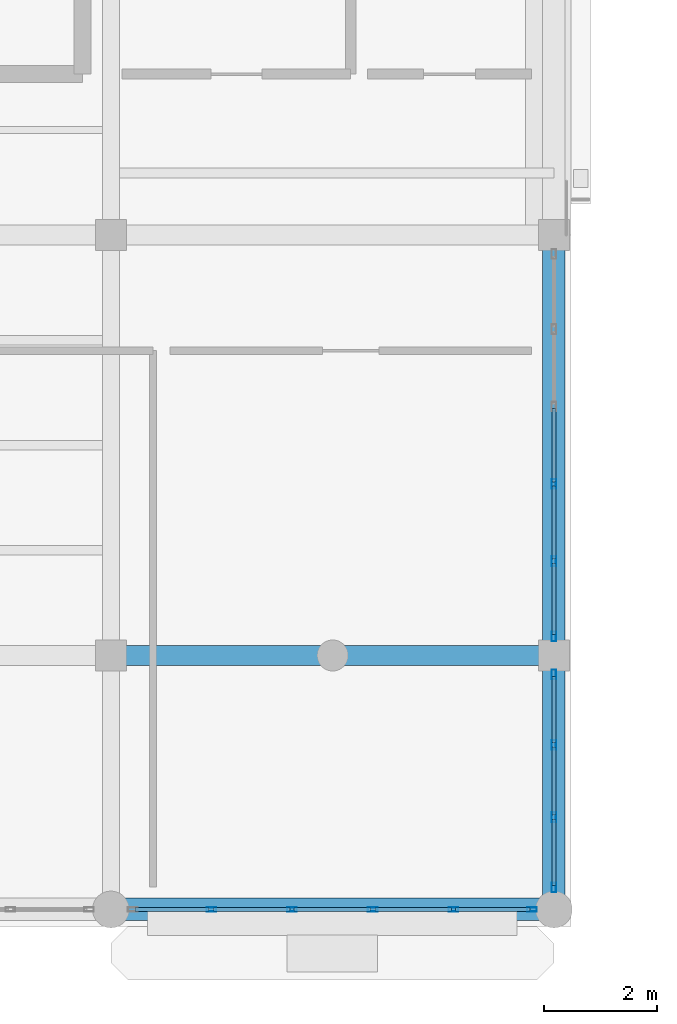
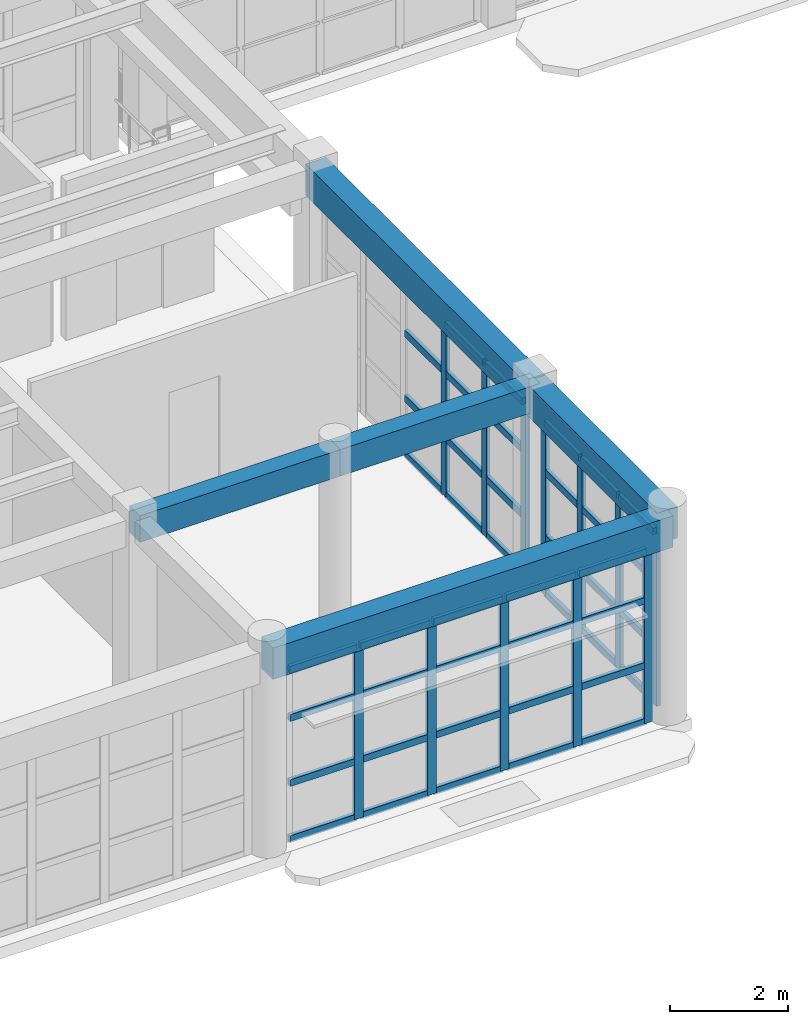
# One storey, part 14 of 85: 55 members, 5 beams, 3 elements without a shape of their own.
"""IFC4 building model written with IfcOpenShell, lengths in metres."""

from ifc_helpers import new_model, si_unit, direction, frame, origin, origin_2d, place, context, subcontext, project, spatial, rectangle, hollow_rectangle, extrude, material, layer, layer_set, material_profile, profile_set, type_object, element, aggregate, save


model = new_model("IFC4")

# Units and contexts
model_context = context("Model", 3, precision=1e-05, world=origin(), true_north=direction((0.0, 1.0)))
body_context = subcontext(model_context, "Body", "Model", "MODEL_VIEW")
ifc_project = project(units=[si_unit("LENGTHUNIT", "METRE"), si_unit("AREAUNIT", "SQUARE_METRE"), si_unit("VOLUMEUNIT", "CUBIC_METRE"), si_unit("PLANEANGLEUNIT", "RADIAN"), si_unit("MASSUNIT", "GRAM", prefix="KILO")], contexts=[model_context])

# Site, building, storey
site_placement = place(None, origin())
site = spatial("IfcSite", under=ifc_project, at=site_placement, CompositionType="ELEMENT")
building_placement = place(site_placement, origin())
building = spatial("IfcBuilding", under=site, at=building_placement, Name="Candilejo Ridge Gondola Terminal", CompositionType="ELEMENT")
storey_placement = place(building_placement, frame((0.0, 0.0, 4.5)))
storey = spatial("IfcBuildingStorey", under=building, at=storey_placement, Name="L01", CompositionType="ELEMENT", Elevation=4.5)

# Curtain wall, members
ifc_material_1 = material(Name="Anodised aluminium AA 6063-T6", Category="aluminium")
ifc_layer_1 = layer(ifc_material_1, 0.169921875)
ifc_layer_set_1 = layer_set([ifc_layer_1], Name="ARC-CW-CONCOURSE-3600-715X359")
curtain_wall_type_1 = type_object("IfcCurtainWallType", Name="ARC-CW-CONCOURSE-3600-715X359", PredefinedType="NOTDEFINED", material=ifc_layer_set_1)
curtain_wall_1_placement = place(storey_placement, origin())
curtain_wall_1 = element("IfcCurtainWall", 1, at=curtain_wall_1_placement, inside=storey, type_object=curtain_wall_type_1, Name="Curtain wall V1 L01-017", PredefinedType="NOTDEFINED")
ifc_material_2 = material(Name="Anodised aluminium AA 6063-T6", Category="aluminium")
ifc_material_profile_1 = material_profile(ifc_material_2, hollow_rectangle(XDim=0.074951171875, YDim=0.169921875, WallThickness=0.00390625, at=origin_2d()))
ifc_profile_set_1 = profile_set([ifc_material_profile_1], Name="Anodised aluminium AA 6063-T6")
member_type_1 = type_object("IfcMemberType", Name="ARC-CW-MULLION", PredefinedType="MULLION", material=ifc_profile_set_1)
member_1_placement = place(storey_placement, frame((37.6298828125, 6.300048828125, 0.0), z_axis=(0.0, 0.0, 1.0), x_axis=(0.0, 1.0, 0.0)))
member_1 = element("IfcMember", 2, at=member_1_placement, type_object=member_type_1, Name="CW-71X35 mullion 2", PredefinedType="MULLION", context=body_context, shape_type="SweptSolid", body=[
    extrude(hollow_rectangle(XDim=0.074951171875, YDim=0.169921875, WallThickness=0.00390625, at=origin_2d()), origin(), (0.0, 0.0, 1.0), 3.590087890625),
])
member_2_placement = place(storey_placement, frame((39.06005859375, 6.300048828125, 0.0), z_axis=(0.0, 0.0, 1.0), x_axis=(0.0, 1.0, 0.0)))
member_2 = element("IfcMember", 3, at=member_2_placement, type_object=member_type_1, Name="CW-71X35 mullion 3", PredefinedType="MULLION", context=body_context, shape_type="SweptSolid", body=[
    extrude(hollow_rectangle(XDim=0.074951171875, YDim=0.169921875, WallThickness=0.00390625, at=origin_2d()), origin(), (0.0, 0.0, 1.0), 3.590087890625),
])
member_3_placement = place(storey_placement, frame((40.489990234375, 6.300048828125, 0.0), z_axis=(0.0, 0.0, 1.0), x_axis=(0.0, 1.0, 0.0)))
member_3 = element("IfcMember", 4, at=member_3_placement, type_object=member_type_1, Name="CW-71X35 mullion 4", PredefinedType="MULLION", context=body_context, shape_type="SweptSolid", body=[
    extrude(hollow_rectangle(XDim=0.074951171875, YDim=0.169921875, WallThickness=0.00390625, at=origin_2d()), origin(), (0.0, 0.0, 1.0), 3.590087890625),
])
member_4_placement = place(storey_placement, frame((41.919921875, 6.300048828125, 0.0), z_axis=(0.0, 0.0, 1.0), x_axis=(0.0, 1.0, 0.0)))
member_4 = element("IfcMember", 5, at=member_4_placement, type_object=member_type_1, Name="CW-71X35 mullion 5", PredefinedType="MULLION", context=body_context, shape_type="SweptSolid", body=[
    extrude(hollow_rectangle(XDim=0.074951171875, YDim=0.169921875, WallThickness=0.00390625, at=origin_2d()), origin(), (0.0, 0.0, 1.0), 3.590087890625),
])
member_5_placement = place(storey_placement, frame((43.3125, 6.300048828125, 0.0), z_axis=(0.0, 0.0, 1.0), x_axis=(0.0, 1.0, 0.0)))
member_5 = element("IfcMember", 6, at=member_5_placement, type_object=member_type_1, Name="CW-71X35 mullion 6", PredefinedType="MULLION", context=body_context, shape_type="SweptSolid", body=[
    extrude(hollow_rectangle(XDim=0.074951171875, YDim=0.169921875, WallThickness=0.00390625, at=origin_2d()), origin(), (0.0, 0.0, 1.0), 3.590087890625),
])

ifc_material_3 = material(Name="Anodised aluminium AA 6063-T6", Category="aluminium")
ifc_layer_2 = layer(ifc_material_3, 0.169921875)
ifc_layer_set_2 = layer_set([ifc_layer_2], Name="ARC-CW-CONCOURSE-3600-385X359")
curtain_wall_type_2 = type_object("IfcCurtainWallType", Name="ARC-CW-CONCOURSE-3600-385X359", PredefinedType="NOTDEFINED", material=ifc_layer_set_2)
curtain_wall_2_placement = place(storey_placement, origin())
curtain_wall_2 = element("IfcCurtainWall", 7, at=curtain_wall_2_placement, inside=storey, type_object=curtain_wall_type_2, Name="Curtain wall V1 L01-024", PredefinedType="NOTDEFINED")
member_6_placement = place(storey_placement, frame((43.699951171875, 6.6875, 0.0), z_axis=(0.0, 0.0, 1.0), x_axis=(-1.0, 0.0, 0.0)))
member_6 = element("IfcMember", 8, at=member_6_placement, type_object=member_type_1, Name="CW-38X35 mullion 1", PredefinedType="MULLION", context=body_context, shape_type="SweptSolid", body=[
    extrude(hollow_rectangle(XDim=0.074951171875, YDim=0.169921875, WallThickness=0.00390625, at=origin_2d()), origin(), (0.0, 0.0, 1.0), 3.590087890625),
])
member_7_placement = place(storey_placement, frame((43.699951171875, 7.933349609375, 0.0), z_axis=(0.0, 0.0, 1.0), x_axis=(-1.0, 0.0, 0.0)))
member_7 = element("IfcMember", 9, at=member_7_placement, type_object=member_type_1, Name="CW-38X35 mullion 2", PredefinedType="MULLION", context=body_context, shape_type="SweptSolid", body=[
    extrude(hollow_rectangle(XDim=0.074951171875, YDim=0.169921875, WallThickness=0.00390625, at=origin_2d()), origin(), (0.0, 0.0, 1.0), 3.590087890625),
])
member_8_placement = place(storey_placement, frame((43.699951171875, 9.216552734375, 0.0), z_axis=(0.0, 0.0, 1.0), x_axis=(-1.0, 0.0, 0.0)))
member_8 = element("IfcMember", 10, at=member_8_placement, type_object=member_type_1, Name="CW-38X35 mullion 3", PredefinedType="MULLION", context=body_context, shape_type="SweptSolid", body=[
    extrude(hollow_rectangle(XDim=0.074951171875, YDim=0.169921875, WallThickness=0.00390625, at=origin_2d()), origin(), (0.0, 0.0, 1.0), 3.590087890625),
])
member_9_placement = place(storey_placement, frame((43.699951171875, 10.46240234375, 0.0), z_axis=(0.0, 0.0, 1.0), x_axis=(-1.0, 0.0, 0.0)))
member_9 = element("IfcMember", 11, at=member_9_placement, type_object=member_type_1, Name="CW-38X35 mullion 4", PredefinedType="MULLION", context=body_context, shape_type="SweptSolid", body=[
    extrude(hollow_rectangle(XDim=0.074951171875, YDim=0.169921875, WallThickness=0.00390625, at=origin_2d()), origin(), (0.0, 0.0, 1.0), 3.590087890625),
])

ifc_material_4 = material(Name="Anodised aluminium AA 6063-T6", Category="aluminium")
ifc_layer_3 = layer(ifc_material_4, 0.169921875)
ifc_layer_set_3 = layer_set([ifc_layer_3], Name="ARC-CW-CONCOURSE-3600-685X359")
curtain_wall_type_3 = type_object("IfcCurtainWallType", Name="ARC-CW-CONCOURSE-3600-685X359", PredefinedType="NOTDEFINED", material=ifc_layer_set_3)
curtain_wall_3_placement = place(storey_placement, origin())
curtain_wall_3 = element("IfcCurtainWall", 12, at=curtain_wall_3_placement, inside=storey, type_object=curtain_wall_type_3, Name="Curtain wall V1 L01-025", PredefinedType="NOTDEFINED")
member_10_placement = place(storey_placement, frame((43.699951171875, 11.137451171875, 0.0), z_axis=(0.0, 0.0, 1.0), x_axis=(-1.0, 0.0, 0.0)))
member_10 = element("IfcMember", 13, at=member_10_placement, type_object=member_type_1, Name="CW-68X35 mullion 1", PredefinedType="MULLION", context=body_context, shape_type="SweptSolid", body=[
    extrude(hollow_rectangle(XDim=0.074951171875, YDim=0.169921875, WallThickness=0.00390625, at=origin_2d()), origin(), (0.0, 0.0, 1.0), 3.590087890625),
])
member_11_placement = place(storey_placement, frame((43.699951171875, 12.469970703125, 0.0), z_axis=(0.0, 0.0, 1.0), x_axis=(-1.0, 0.0, 0.0)))
member_11 = element("IfcMember", 14, at=member_11_placement, type_object=member_type_1, Name="CW-68X35 mullion 2", PredefinedType="MULLION", context=body_context, shape_type="SweptSolid", body=[
    extrude(hollow_rectangle(XDim=0.074951171875, YDim=0.169921875, WallThickness=0.00390625, at=origin_2d()), origin(), (0.0, 0.0, 1.0), 3.590087890625),
])
member_12_placement = place(storey_placement, frame((43.699951171875, 13.840087890625, 0.0), z_axis=(0.0, 0.0, 1.0), x_axis=(-1.0, 0.0, 0.0)))
member_12 = element("IfcMember", 15, at=member_12_placement, type_object=member_type_1, Name="CW-68X35 mullion 3", PredefinedType="MULLION", context=body_context, shape_type="SweptSolid", body=[
    extrude(hollow_rectangle(XDim=0.074951171875, YDim=0.169921875, WallThickness=0.00390625, at=origin_2d()), origin(), (0.0, 0.0, 1.0), 3.590087890625),
])

# Member
ifc_material_5 = material(Name="Anodised aluminium AA 6063-T6", Category="aluminium")
ifc_material_profile_2 = material_profile(ifc_material_5, hollow_rectangle(XDim=0.074951171875, YDim=0.139892578125, WallThickness=0.00390625, at=origin_2d()))
ifc_profile_set_2 = profile_set([ifc_material_profile_2], Name="Anodised aluminium AA 6063-T6")
member_type_2 = type_object("IfcMemberType", Name="ARC-CW-TRANSOM", PredefinedType="USERDEFINED", material=ifc_profile_set_2)
member_13_placement = place(storey_placement, frame((36.27490234375, 6.300048828125, 0.03759765625), z_axis=(1.0, 0.0, 0.0), x_axis=(0.0, 1.0, 0.0)))
member_13 = element("IfcMember", 16, at=member_13_placement, type_object=member_type_2, Name="CW-71X35 transom 1.1", ObjectType="TRANSOM", PredefinedType="USERDEFINED", context=body_context, shape_type="SweptSolid", body=[
    extrude(hollow_rectangle(XDim=0.074951171875, YDim=0.139892578125, WallThickness=0.00390625, at=origin_2d()), origin(), (0.0, 0.0, 1.0), 1.317626953125),
])

member_14_placement = place(storey_placement, frame((36.27490234375, 6.300048828125, 1.199951171875), z_axis=(1.0, 0.0, 0.0), x_axis=(0.0, 1.0, 0.0)))
member_14 = element("IfcMember", 17, at=member_14_placement, type_object=member_type_2, Name="CW-71X35 transom 1.2", ObjectType="TRANSOM", PredefinedType="USERDEFINED", context=body_context, shape_type="SweptSolid", body=[
    extrude(hollow_rectangle(XDim=0.074951171875, YDim=0.139892578125, WallThickness=0.00390625, at=origin_2d()), origin(), (0.0, 0.0, 1.0), 1.317626953125),
])

member_15_placement = place(storey_placement, frame((36.27490234375, 6.300048828125, 2.550048828125), z_axis=(1.0, 0.0, 0.0), x_axis=(0.0, 1.0, 0.0)))
member_15 = element("IfcMember", 18, at=member_15_placement, type_object=member_type_2, Name="CW-71X35 transom 1.3", ObjectType="TRANSOM", PredefinedType="USERDEFINED", context=body_context, shape_type="SweptSolid", body=[
    extrude(hollow_rectangle(XDim=0.074951171875, YDim=0.139892578125, WallThickness=0.00390625, at=origin_2d()), origin(), (0.0, 0.0, 1.0), 1.317626953125),
])

member_16_placement = place(storey_placement, frame((36.27490234375, 6.300048828125, 3.552490234375), z_axis=(1.0, 0.0, 0.0), x_axis=(0.0, 1.0, 0.0)))
member_16 = element("IfcMember", 19, at=member_16_placement, type_object=member_type_2, Name="CW-71X35 transom 1.4", ObjectType="TRANSOM", PredefinedType="USERDEFINED", context=body_context, shape_type="SweptSolid", body=[
    extrude(hollow_rectangle(XDim=0.074951171875, YDim=0.139892578125, WallThickness=0.00390625, at=origin_2d()), origin(), (0.0, 0.0, 1.0), 1.317626953125),
])

member_17_placement = place(storey_placement, frame((37.66748046875, 6.300048828125, 0.03759765625), z_axis=(1.0, 0.0, 0.0), x_axis=(0.0, 1.0, 0.0)))
member_17 = element("IfcMember", 20, at=member_17_placement, type_object=member_type_2, Name="CW-71X35 transom 2.1", ObjectType="TRANSOM", PredefinedType="USERDEFINED", context=body_context, shape_type="SweptSolid", body=[
    extrude(hollow_rectangle(XDim=0.074951171875, YDim=0.139892578125, WallThickness=0.00390625, at=origin_2d()), origin(), (0.0, 0.0, 1.0), 1.35498046875),
])

member_18_placement = place(storey_placement, frame((37.66748046875, 6.300048828125, 1.199951171875), z_axis=(1.0, 0.0, 0.0), x_axis=(0.0, 1.0, 0.0)))
member_18 = element("IfcMember", 21, at=member_18_placement, type_object=member_type_2, Name="CW-71X35 transom 2.2", ObjectType="TRANSOM", PredefinedType="USERDEFINED", context=body_context, shape_type="SweptSolid", body=[
    extrude(hollow_rectangle(XDim=0.074951171875, YDim=0.139892578125, WallThickness=0.00390625, at=origin_2d()), origin(), (0.0, 0.0, 1.0), 1.35498046875),
])

member_19_placement = place(storey_placement, frame((37.66748046875, 6.300048828125, 2.550048828125), z_axis=(1.0, 0.0, 0.0), x_axis=(0.0, 1.0, 0.0)))
member_19 = element("IfcMember", 22, at=member_19_placement, type_object=member_type_2, Name="CW-71X35 transom 2.3", ObjectType="TRANSOM", PredefinedType="USERDEFINED", context=body_context, shape_type="SweptSolid", body=[
    extrude(hollow_rectangle(XDim=0.074951171875, YDim=0.139892578125, WallThickness=0.00390625, at=origin_2d()), origin(), (0.0, 0.0, 1.0), 1.35498046875),
])

member_20_placement = place(storey_placement, frame((37.66748046875, 6.300048828125, 3.552490234375), z_axis=(1.0, 0.0, 0.0), x_axis=(0.0, 1.0, 0.0)))
member_20 = element("IfcMember", 23, at=member_20_placement, type_object=member_type_2, Name="CW-71X35 transom 2.4", ObjectType="TRANSOM", PredefinedType="USERDEFINED", context=body_context, shape_type="SweptSolid", body=[
    extrude(hollow_rectangle(XDim=0.074951171875, YDim=0.139892578125, WallThickness=0.00390625, at=origin_2d()), origin(), (0.0, 0.0, 1.0), 1.35498046875),
])

member_21_placement = place(storey_placement, frame((39.097412109375, 6.300048828125, 0.03759765625), z_axis=(1.0, 0.0, 0.0), x_axis=(0.0, 1.0, 0.0)))
member_21 = element("IfcMember", 24, at=member_21_placement, type_object=member_type_2, Name="CW-71X35 transom 3.1", ObjectType="TRANSOM", PredefinedType="USERDEFINED", context=body_context, shape_type="SweptSolid", body=[
    extrude(hollow_rectangle(XDim=0.074951171875, YDim=0.139892578125, WallThickness=0.00390625, at=origin_2d()), origin(), (0.0, 0.0, 1.0), 1.35498046875),
])

member_22_placement = place(storey_placement, frame((39.097412109375, 6.300048828125, 1.199951171875), z_axis=(1.0, 0.0, 0.0), x_axis=(0.0, 1.0, 0.0)))
member_22 = element("IfcMember", 25, at=member_22_placement, type_object=member_type_2, Name="CW-71X35 transom 3.2", ObjectType="TRANSOM", PredefinedType="USERDEFINED", context=body_context, shape_type="SweptSolid", body=[
    extrude(hollow_rectangle(XDim=0.074951171875, YDim=0.139892578125, WallThickness=0.00390625, at=origin_2d()), origin(), (0.0, 0.0, 1.0), 1.35498046875),
])

member_23_placement = place(storey_placement, frame((39.097412109375, 6.300048828125, 2.550048828125), z_axis=(1.0, 0.0, 0.0), x_axis=(0.0, 1.0, 0.0)))
member_23 = element("IfcMember", 26, at=member_23_placement, type_object=member_type_2, Name="CW-71X35 transom 3.3", ObjectType="TRANSOM", PredefinedType="USERDEFINED", context=body_context, shape_type="SweptSolid", body=[
    extrude(hollow_rectangle(XDim=0.074951171875, YDim=0.139892578125, WallThickness=0.00390625, at=origin_2d()), origin(), (0.0, 0.0, 1.0), 1.35498046875),
])

member_24_placement = place(storey_placement, frame((39.097412109375, 6.300048828125, 3.552490234375), z_axis=(1.0, 0.0, 0.0), x_axis=(0.0, 1.0, 0.0)))
member_24 = element("IfcMember", 27, at=member_24_placement, type_object=member_type_2, Name="CW-71X35 transom 3.4", ObjectType="TRANSOM", PredefinedType="USERDEFINED", context=body_context, shape_type="SweptSolid", body=[
    extrude(hollow_rectangle(XDim=0.074951171875, YDim=0.139892578125, WallThickness=0.00390625, at=origin_2d()), origin(), (0.0, 0.0, 1.0), 1.35498046875),
])

member_25_placement = place(storey_placement, frame((40.527587890625, 6.300048828125, 0.03759765625), z_axis=(1.0, 0.0, 0.0), x_axis=(0.0, 1.0, 0.0)))
member_25 = element("IfcMember", 28, at=member_25_placement, type_object=member_type_2, Name="CW-71X35 transom 4.1", ObjectType="TRANSOM", PredefinedType="USERDEFINED", context=body_context, shape_type="SweptSolid", body=[
    extrude(hollow_rectangle(XDim=0.074951171875, YDim=0.139892578125, WallThickness=0.00390625, at=origin_2d()), origin(), (0.0, 0.0, 1.0), 1.35498046875),
])

member_26_placement = place(storey_placement, frame((40.527587890625, 6.300048828125, 1.199951171875), z_axis=(1.0, 0.0, 0.0), x_axis=(0.0, 1.0, 0.0)))
member_26 = element("IfcMember", 29, at=member_26_placement, type_object=member_type_2, Name="CW-71X35 transom 4.2", ObjectType="TRANSOM", PredefinedType="USERDEFINED", context=body_context, shape_type="SweptSolid", body=[
    extrude(hollow_rectangle(XDim=0.074951171875, YDim=0.139892578125, WallThickness=0.00390625, at=origin_2d()), origin(), (0.0, 0.0, 1.0), 1.35498046875),
])

member_27_placement = place(storey_placement, frame((40.527587890625, 6.300048828125, 2.550048828125), z_axis=(1.0, 0.0, 0.0), x_axis=(0.0, 1.0, 0.0)))
member_27 = element("IfcMember", 30, at=member_27_placement, type_object=member_type_2, Name="CW-71X35 transom 4.3", ObjectType="TRANSOM", PredefinedType="USERDEFINED", context=body_context, shape_type="SweptSolid", body=[
    extrude(hollow_rectangle(XDim=0.074951171875, YDim=0.139892578125, WallThickness=0.00390625, at=origin_2d()), origin(), (0.0, 0.0, 1.0), 1.35498046875),
])

member_28_placement = place(storey_placement, frame((40.527587890625, 6.300048828125, 3.552490234375), z_axis=(1.0, 0.0, 0.0), x_axis=(0.0, 1.0, 0.0)))
member_28 = element("IfcMember", 31, at=member_28_placement, type_object=member_type_2, Name="CW-71X35 transom 4.4", ObjectType="TRANSOM", PredefinedType="USERDEFINED", context=body_context, shape_type="SweptSolid", body=[
    extrude(hollow_rectangle(XDim=0.074951171875, YDim=0.139892578125, WallThickness=0.00390625, at=origin_2d()), origin(), (0.0, 0.0, 1.0), 1.35498046875),
])

member_29_placement = place(storey_placement, frame((41.95751953125, 6.300048828125, 0.03759765625), z_axis=(1.0, 0.0, 0.0), x_axis=(0.0, 1.0, 0.0)))
member_29 = element("IfcMember", 32, at=member_29_placement, type_object=member_type_2, Name="CW-71X35 transom 5.1", ObjectType="TRANSOM", PredefinedType="USERDEFINED", context=body_context, shape_type="SweptSolid", body=[
    extrude(hollow_rectangle(XDim=0.074951171875, YDim=0.139892578125, WallThickness=0.00390625, at=origin_2d()), origin(), (0.0, 0.0, 1.0), 1.3173828125),
])

member_30_placement = place(storey_placement, frame((41.95751953125, 6.300048828125, 1.199951171875), z_axis=(1.0, 0.0, 0.0), x_axis=(0.0, 1.0, 0.0)))
member_30 = element("IfcMember", 33, at=member_30_placement, type_object=member_type_2, Name="CW-71X35 transom 5.2", ObjectType="TRANSOM", PredefinedType="USERDEFINED", context=body_context, shape_type="SweptSolid", body=[
    extrude(hollow_rectangle(XDim=0.074951171875, YDim=0.139892578125, WallThickness=0.00390625, at=origin_2d()), origin(), (0.0, 0.0, 1.0), 1.3173828125),
])

member_31_placement = place(storey_placement, frame((41.95751953125, 6.300048828125, 2.550048828125), z_axis=(1.0, 0.0, 0.0), x_axis=(0.0, 1.0, 0.0)))
member_31 = element("IfcMember", 34, at=member_31_placement, type_object=member_type_2, Name="CW-71X35 transom 5.3", ObjectType="TRANSOM", PredefinedType="USERDEFINED", context=body_context, shape_type="SweptSolid", body=[
    extrude(hollow_rectangle(XDim=0.074951171875, YDim=0.139892578125, WallThickness=0.00390625, at=origin_2d()), origin(), (0.0, 0.0, 1.0), 1.3173828125),
])

member_32_placement = place(storey_placement, frame((41.95751953125, 6.300048828125, 3.552490234375), z_axis=(1.0, 0.0, 0.0), x_axis=(0.0, 1.0, 0.0)))
member_32 = element("IfcMember", 35, at=member_32_placement, type_object=member_type_2, Name="CW-71X35 transom 5.4", ObjectType="TRANSOM", PredefinedType="USERDEFINED", context=body_context, shape_type="SweptSolid", body=[
    extrude(hollow_rectangle(XDim=0.074951171875, YDim=0.139892578125, WallThickness=0.00390625, at=origin_2d()), origin(), (0.0, 0.0, 1.0), 1.3173828125),
])

aggregate(curtain_wall_1, [member_1, member_2, member_3, member_4, member_5, member_13, member_14, member_15, member_16, member_17, member_18, member_19, member_20, member_21, member_22, member_23, member_24, member_25, member_26, member_27, member_28, member_29, member_30, member_31, member_32])

member_33_placement = place(storey_placement, frame((43.699951171875, 6.72509765625, 0.03759765625), z_axis=(0.0, 1.0, 0.0), x_axis=(-1.0, 0.0, 0.0)))
member_33 = element("IfcMember", 36, at=member_33_placement, type_object=member_type_2, Name="CW-38X35 transom 1.1", ObjectType="TRANSOM", PredefinedType="USERDEFINED", context=body_context, shape_type="SweptSolid", body=[
    extrude(hollow_rectangle(XDim=0.074951171875, YDim=0.139892578125, WallThickness=0.00390625, at=origin_2d()), origin(), (0.0, 0.0, 1.0), 1.170654296875),
])

member_34_placement = place(storey_placement, frame((43.699951171875, 6.72509765625, 1.199951171875), z_axis=(0.0, 1.0, 0.0), x_axis=(-1.0, 0.0, 0.0)))
member_34 = element("IfcMember", 37, at=member_34_placement, type_object=member_type_2, Name="CW-38X35 transom 1.2", ObjectType="TRANSOM", PredefinedType="USERDEFINED", context=body_context, shape_type="SweptSolid", body=[
    extrude(hollow_rectangle(XDim=0.074951171875, YDim=0.139892578125, WallThickness=0.00390625, at=origin_2d()), origin(), (0.0, 0.0, 1.0), 1.170654296875),
])

member_35_placement = place(storey_placement, frame((43.699951171875, 6.72509765625, 2.550048828125), z_axis=(0.0, 1.0, 0.0), x_axis=(-1.0, 0.0, 0.0)))
member_35 = element("IfcMember", 38, at=member_35_placement, type_object=member_type_2, Name="CW-38X35 transom 1.3", ObjectType="TRANSOM", PredefinedType="USERDEFINED", context=body_context, shape_type="SweptSolid", body=[
    extrude(hollow_rectangle(XDim=0.074951171875, YDim=0.139892578125, WallThickness=0.00390625, at=origin_2d()), origin(), (0.0, 0.0, 1.0), 1.170654296875),
])

member_36_placement = place(storey_placement, frame((43.699951171875, 6.72509765625, 3.552490234375), z_axis=(0.0, 1.0, 0.0), x_axis=(-1.0, 0.0, 0.0)))
member_36 = element("IfcMember", 39, at=member_36_placement, type_object=member_type_2, Name="CW-38X35 transom 1.4", ObjectType="TRANSOM", PredefinedType="USERDEFINED", context=body_context, shape_type="SweptSolid", body=[
    extrude(hollow_rectangle(XDim=0.074951171875, YDim=0.139892578125, WallThickness=0.00390625, at=origin_2d()), origin(), (0.0, 0.0, 1.0), 1.170654296875),
])

member_37_placement = place(storey_placement, frame((43.699951171875, 7.970947265625, 0.03759765625), z_axis=(0.0, 1.0, 0.0), x_axis=(-1.0, 0.0, 0.0)))
member_37 = element("IfcMember", 40, at=member_37_placement, type_object=member_type_2, Name="CW-38X35 transom 2.1", ObjectType="TRANSOM", PredefinedType="USERDEFINED", context=body_context, shape_type="SweptSolid", body=[
    extrude(hollow_rectangle(XDim=0.074951171875, YDim=0.139892578125, WallThickness=0.00390625, at=origin_2d()), origin(), (0.0, 0.0, 1.0), 1.208251953125),
])

member_38_placement = place(storey_placement, frame((43.699951171875, 7.970947265625, 1.199951171875), z_axis=(0.0, 1.0, 0.0), x_axis=(-1.0, 0.0, 0.0)))
member_38 = element("IfcMember", 41, at=member_38_placement, type_object=member_type_2, Name="CW-38X35 transom 2.2", ObjectType="TRANSOM", PredefinedType="USERDEFINED", context=body_context, shape_type="SweptSolid", body=[
    extrude(hollow_rectangle(XDim=0.074951171875, YDim=0.139892578125, WallThickness=0.00390625, at=origin_2d()), origin(), (0.0, 0.0, 1.0), 1.208251953125),
])

member_39_placement = place(storey_placement, frame((43.699951171875, 7.970947265625, 2.550048828125), z_axis=(0.0, 1.0, 0.0), x_axis=(-1.0, 0.0, 0.0)))
member_39 = element("IfcMember", 42, at=member_39_placement, type_object=member_type_2, Name="CW-38X35 transom 2.3", ObjectType="TRANSOM", PredefinedType="USERDEFINED", context=body_context, shape_type="SweptSolid", body=[
    extrude(hollow_rectangle(XDim=0.074951171875, YDim=0.139892578125, WallThickness=0.00390625, at=origin_2d()), origin(), (0.0, 0.0, 1.0), 1.208251953125),
])

member_40_placement = place(storey_placement, frame((43.699951171875, 7.970947265625, 3.552490234375), z_axis=(0.0, 1.0, 0.0), x_axis=(-1.0, 0.0, 0.0)))
member_40 = element("IfcMember", 43, at=member_40_placement, type_object=member_type_2, Name="CW-38X35 transom 2.4", ObjectType="TRANSOM", PredefinedType="USERDEFINED", context=body_context, shape_type="SweptSolid", body=[
    extrude(hollow_rectangle(XDim=0.074951171875, YDim=0.139892578125, WallThickness=0.00390625, at=origin_2d()), origin(), (0.0, 0.0, 1.0), 1.208251953125),
])

member_41_placement = place(storey_placement, frame((43.699951171875, 9.254150390625, 0.03759765625), z_axis=(0.0, 1.0, 0.0), x_axis=(-1.0, 0.0, 0.0)))
member_41 = element("IfcMember", 44, at=member_41_placement, type_object=member_type_2, Name="CW-38X35 transom 3.1", ObjectType="TRANSOM", PredefinedType="USERDEFINED", context=body_context, shape_type="SweptSolid", body=[
    extrude(hollow_rectangle(XDim=0.074951171875, YDim=0.139892578125, WallThickness=0.00390625, at=origin_2d()), origin(), (0.0, 0.0, 1.0), 1.1708984375),
])

member_42_placement = place(storey_placement, frame((43.699951171875, 9.254150390625, 1.199951171875), z_axis=(0.0, 1.0, 0.0), x_axis=(-1.0, 0.0, 0.0)))
member_42 = element("IfcMember", 45, at=member_42_placement, type_object=member_type_2, Name="CW-38X35 transom 3.2", ObjectType="TRANSOM", PredefinedType="USERDEFINED", context=body_context, shape_type="SweptSolid", body=[
    extrude(hollow_rectangle(XDim=0.074951171875, YDim=0.139892578125, WallThickness=0.00390625, at=origin_2d()), origin(), (0.0, 0.0, 1.0), 1.1708984375),
])

member_43_placement = place(storey_placement, frame((43.699951171875, 9.254150390625, 2.550048828125), z_axis=(0.0, 1.0, 0.0), x_axis=(-1.0, 0.0, 0.0)))
member_43 = element("IfcMember", 46, at=member_43_placement, type_object=member_type_2, Name="CW-38X35 transom 3.3", ObjectType="TRANSOM", PredefinedType="USERDEFINED", context=body_context, shape_type="SweptSolid", body=[
    extrude(hollow_rectangle(XDim=0.074951171875, YDim=0.139892578125, WallThickness=0.00390625, at=origin_2d()), origin(), (0.0, 0.0, 1.0), 1.1708984375),
])

member_44_placement = place(storey_placement, frame((43.699951171875, 9.254150390625, 3.552490234375), z_axis=(0.0, 1.0, 0.0), x_axis=(-1.0, 0.0, 0.0)))
member_44 = element("IfcMember", 47, at=member_44_placement, type_object=member_type_2, Name="CW-38X35 transom 3.4", ObjectType="TRANSOM", PredefinedType="USERDEFINED", context=body_context, shape_type="SweptSolid", body=[
    extrude(hollow_rectangle(XDim=0.074951171875, YDim=0.139892578125, WallThickness=0.00390625, at=origin_2d()), origin(), (0.0, 0.0, 1.0), 1.1708984375),
])

aggregate(curtain_wall_2, [member_6, member_7, member_8, member_9, member_33, member_34, member_35, member_36, member_37, member_38, member_39, member_40, member_41, member_42, member_43, member_44])

member_45_placement = place(storey_placement, frame((43.699951171875, 11.175048828125, 0.03759765625), z_axis=(0.0, 1.0, 0.0), x_axis=(-1.0, 0.0, 0.0)))
member_45 = element("IfcMember", 48, at=member_45_placement, type_object=member_type_2, Name="CW-68X35 transom 1.1", ObjectType="TRANSOM", PredefinedType="USERDEFINED", context=body_context, shape_type="SweptSolid", body=[
    extrude(hollow_rectangle(XDim=0.074951171875, YDim=0.139892578125, WallThickness=0.00390625, at=origin_2d()), origin(), (0.0, 0.0, 1.0), 1.257568359375),
])

member_46_placement = place(storey_placement, frame((43.699951171875, 11.175048828125, 1.199951171875), z_axis=(0.0, 1.0, 0.0), x_axis=(-1.0, 0.0, 0.0)))
member_46 = element("IfcMember", 49, at=member_46_placement, type_object=member_type_2, Name="CW-68X35 transom 1.2", ObjectType="TRANSOM", PredefinedType="USERDEFINED", context=body_context, shape_type="SweptSolid", body=[
    extrude(hollow_rectangle(XDim=0.074951171875, YDim=0.139892578125, WallThickness=0.00390625, at=origin_2d()), origin(), (0.0, 0.0, 1.0), 1.257568359375),
])

member_47_placement = place(storey_placement, frame((43.699951171875, 11.175048828125, 2.550048828125), z_axis=(0.0, 1.0, 0.0), x_axis=(-1.0, 0.0, 0.0)))
member_47 = element("IfcMember", 50, at=member_47_placement, type_object=member_type_2, Name="CW-68X35 transom 1.3", ObjectType="TRANSOM", PredefinedType="USERDEFINED", context=body_context, shape_type="SweptSolid", body=[
    extrude(hollow_rectangle(XDim=0.074951171875, YDim=0.139892578125, WallThickness=0.00390625, at=origin_2d()), origin(), (0.0, 0.0, 1.0), 1.257568359375),
])

member_48_placement = place(storey_placement, frame((43.699951171875, 11.175048828125, 3.552490234375), z_axis=(0.0, 1.0, 0.0), x_axis=(-1.0, 0.0, 0.0)))
member_48 = element("IfcMember", 51, at=member_48_placement, type_object=member_type_2, Name="CW-68X35 transom 1.4", ObjectType="TRANSOM", PredefinedType="USERDEFINED", context=body_context, shape_type="SweptSolid", body=[
    extrude(hollow_rectangle(XDim=0.074951171875, YDim=0.139892578125, WallThickness=0.00390625, at=origin_2d()), origin(), (0.0, 0.0, 1.0), 1.257568359375),
])

member_49_placement = place(storey_placement, frame((43.699951171875, 12.507568359375, 0.03759765625), z_axis=(0.0, 1.0, 0.0), x_axis=(-1.0, 0.0, 0.0)))
member_49 = element("IfcMember", 52, at=member_49_placement, type_object=member_type_2, Name="CW-68X35 transom 2.1", ObjectType="TRANSOM", PredefinedType="USERDEFINED", context=body_context, shape_type="SweptSolid", body=[
    extrude(hollow_rectangle(XDim=0.074951171875, YDim=0.139892578125, WallThickness=0.00390625, at=origin_2d()), origin(), (0.0, 0.0, 1.0), 1.294921875),
])

member_50_placement = place(storey_placement, frame((43.699951171875, 12.507568359375, 1.199951171875), z_axis=(0.0, 1.0, 0.0), x_axis=(-1.0, 0.0, 0.0)))
member_50 = element("IfcMember", 53, at=member_50_placement, type_object=member_type_2, Name="CW-68X35 transom 2.2", ObjectType="TRANSOM", PredefinedType="USERDEFINED", context=body_context, shape_type="SweptSolid", body=[
    extrude(hollow_rectangle(XDim=0.074951171875, YDim=0.139892578125, WallThickness=0.00390625, at=origin_2d()), origin(), (0.0, 0.0, 1.0), 1.294921875),
])

member_51_placement = place(storey_placement, frame((43.699951171875, 12.507568359375, 2.550048828125), z_axis=(0.0, 1.0, 0.0), x_axis=(-1.0, 0.0, 0.0)))
member_51 = element("IfcMember", 54, at=member_51_placement, type_object=member_type_2, Name="CW-68X35 transom 2.3", ObjectType="TRANSOM", PredefinedType="USERDEFINED", context=body_context, shape_type="SweptSolid", body=[
    extrude(hollow_rectangle(XDim=0.074951171875, YDim=0.139892578125, WallThickness=0.00390625, at=origin_2d()), origin(), (0.0, 0.0, 1.0), 1.294921875),
])

member_52_placement = place(storey_placement, frame((43.699951171875, 12.507568359375, 3.552490234375), z_axis=(0.0, 1.0, 0.0), x_axis=(-1.0, 0.0, 0.0)))
member_52 = element("IfcMember", 55, at=member_52_placement, type_object=member_type_2, Name="CW-68X35 transom 2.4", ObjectType="TRANSOM", PredefinedType="USERDEFINED", context=body_context, shape_type="SweptSolid", body=[
    extrude(hollow_rectangle(XDim=0.074951171875, YDim=0.139892578125, WallThickness=0.00390625, at=origin_2d()), origin(), (0.0, 0.0, 1.0), 1.294921875),
])

member_53_placement = place(storey_placement, frame((43.699951171875, 13.87744140625, 0.03759765625), z_axis=(0.0, 1.0, 0.0), x_axis=(-1.0, 0.0, 0.0)))
member_53 = element("IfcMember", 56, at=member_53_placement, type_object=member_type_2, Name="CW-68X35 transom 3.1", ObjectType="TRANSOM", PredefinedType="USERDEFINED", context=body_context, shape_type="SweptSolid", body=[
    extrude(hollow_rectangle(XDim=0.074951171875, YDim=0.139892578125, WallThickness=0.00390625, at=origin_2d()), origin(), (0.0, 0.0, 1.0), 1.295166015625),
])

member_54_placement = place(storey_placement, frame((43.699951171875, 13.87744140625, 1.199951171875), z_axis=(0.0, 1.0, 0.0), x_axis=(-1.0, 0.0, 0.0)))
member_54 = element("IfcMember", 57, at=member_54_placement, type_object=member_type_2, Name="CW-68X35 transom 3.2", ObjectType="TRANSOM", PredefinedType="USERDEFINED", context=body_context, shape_type="SweptSolid", body=[
    extrude(hollow_rectangle(XDim=0.074951171875, YDim=0.139892578125, WallThickness=0.00390625, at=origin_2d()), origin(), (0.0, 0.0, 1.0), 1.295166015625),
])

member_55_placement = place(storey_placement, frame((43.699951171875, 13.87744140625, 2.550048828125), z_axis=(0.0, 1.0, 0.0), x_axis=(-1.0, 0.0, 0.0)))
member_55 = element("IfcMember", 58, at=member_55_placement, type_object=member_type_2, Name="CW-68X35 transom 3.3", ObjectType="TRANSOM", PredefinedType="USERDEFINED", context=body_context, shape_type="SweptSolid", body=[
    extrude(hollow_rectangle(XDim=0.074951171875, YDim=0.139892578125, WallThickness=0.00390625, at=origin_2d()), origin(), (0.0, 0.0, 1.0), 1.295166015625),
])

aggregate(curtain_wall_3, [member_10, member_11, member_12, member_45, member_46, member_47, member_48, member_49, member_50, member_51, member_52, member_53, member_54, member_55])

# Beams
ifc_material_6 = material(Name="Concrete f'c 35 MPa (C35/45)", Category="concrete")
ifc_material_profile_3 = material_profile(ifc_material_6, rectangle(XDim=0.35009765625, YDim=0.550048828125, at=origin_2d()))
ifc_profile_set_3 = profile_set([ifc_material_profile_3], Name="Concrete f'c 35 MPa (C35/45)")
beam_type_1 = type_object("IfcBeamType", Name="STR-BM-RC350X550", PredefinedType="BEAM", material=ifc_profile_set_3)
beam_1_placement = place(storey_placement, frame((35.85009765625, 10.800048828125, 3.97509765625), z_axis=(1.0, 0.0, 0.0), x_axis=(0.0, 1.0, 0.0)))
element("IfcBeam", 59, at=beam_1_placement, inside=storey, type_object=beam_type_1, Name="Beam X V1 L01 X05-X06@Y02", PredefinedType="BEAM", context=body_context, shape_type="SweptSolid", body=[
    extrude(rectangle(XDim=0.35009765625, YDim=0.550048828125, at=origin_2d()), origin(), (0.0, 0.0, 1.0), 3.929931640625),
])
beam_2_placement = place(storey_placement, frame((39.780029296875, 10.800048828125, 3.97509765625), z_axis=(1.0, 0.0, 0.0), x_axis=(0.0, 1.0, 0.0)))
element("IfcBeam", 60, at=beam_2_placement, inside=storey, type_object=beam_type_1, Name="Beam X V1 L01 X05-X06@Y02", PredefinedType="BEAM", context=body_context, shape_type="SweptSolid", body=[
    extrude(rectangle(XDim=0.35009765625, YDim=0.550048828125, at=origin_2d()), origin(), (0.0, 0.0, 1.0), 3.919921875),
])
ifc_material_7 = material(Name="Concrete f'c 35 MPa (C35/45)", Category="concrete")
ifc_material_profile_4 = material_profile(ifc_material_7, rectangle(XDim=0.39990234375, YDim=0.64990234375, at=origin_2d()))
ifc_profile_set_4 = profile_set([ifc_material_profile_4], Name="Concrete f'c 35 MPa (C35/45)")
beam_type_2 = type_object("IfcBeamType", Name="STR-SPN-RC400X650", PredefinedType="SPANDREL", material=ifc_profile_set_4)
beam_3_placement = place(storey_placement, frame((35.85009765625, 6.300048828125, 3.925048828125), z_axis=(1.0, 0.0, 0.0), x_axis=(0.0, 1.0, 0.0)))
element("IfcBeam", 61, at=beam_3_placement, inside=storey, type_object=beam_type_2, Name="Beam X V1 L01 X05-X06@Y01", PredefinedType="SPANDREL", context=body_context, shape_type="SweptSolid", body=[
    extrude(rectangle(XDim=0.39990234375, YDim=0.64990234375, at=origin_2d()), origin(), (0.0, 0.0, 1.0), 7.849853515625),
])
beam_4_placement = place(storey_placement, frame((43.699951171875, 6.300048828125, 3.925048828125), z_axis=(0.0, 1.0, 0.0), x_axis=(-1.0, 0.0, 0.0)))
element("IfcBeam", 62, at=beam_4_placement, inside=storey, type_object=beam_type_2, Name="Beam Y V1 L01 Y01-Y02@X06", PredefinedType="SPANDREL", context=body_context, shape_type="SweptSolid", body=[
    extrude(rectangle(XDim=0.39990234375, YDim=0.64990234375, at=origin_2d()), origin(), (0.0, 0.0, 1.0), 4.5),
])
beam_5_placement = place(storey_placement, frame((43.699951171875, 10.800048828125, 3.925048828125), z_axis=(0.0, 1.0, 0.0), x_axis=(-1.0, 0.0, 0.0)))
element("IfcBeam", 63, at=beam_5_placement, inside=storey, type_object=beam_type_2, Name="Beam Y V1 L01 Y02-Y03@X06", PredefinedType="SPANDREL", context=body_context, shape_type="SweptSolid", body=[
    extrude(rectangle(XDim=0.39990234375, YDim=0.64990234375, at=origin_2d()), origin(), (0.0, 0.0, 1.0), 7.449951171875),
])

save(model, "model.ifc")
